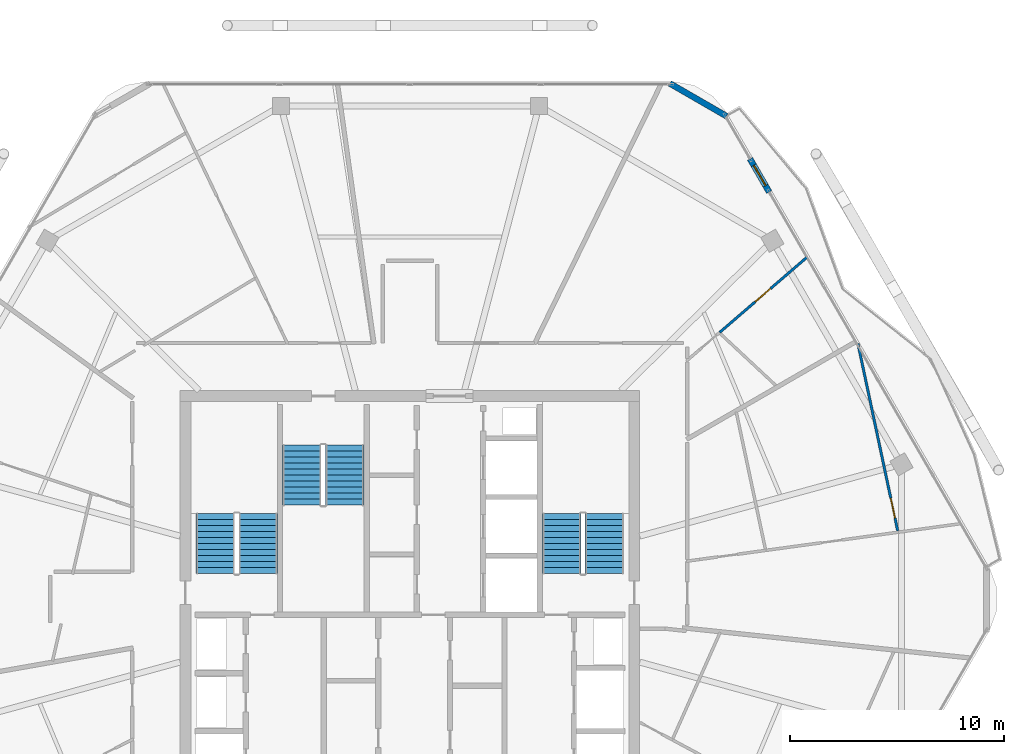
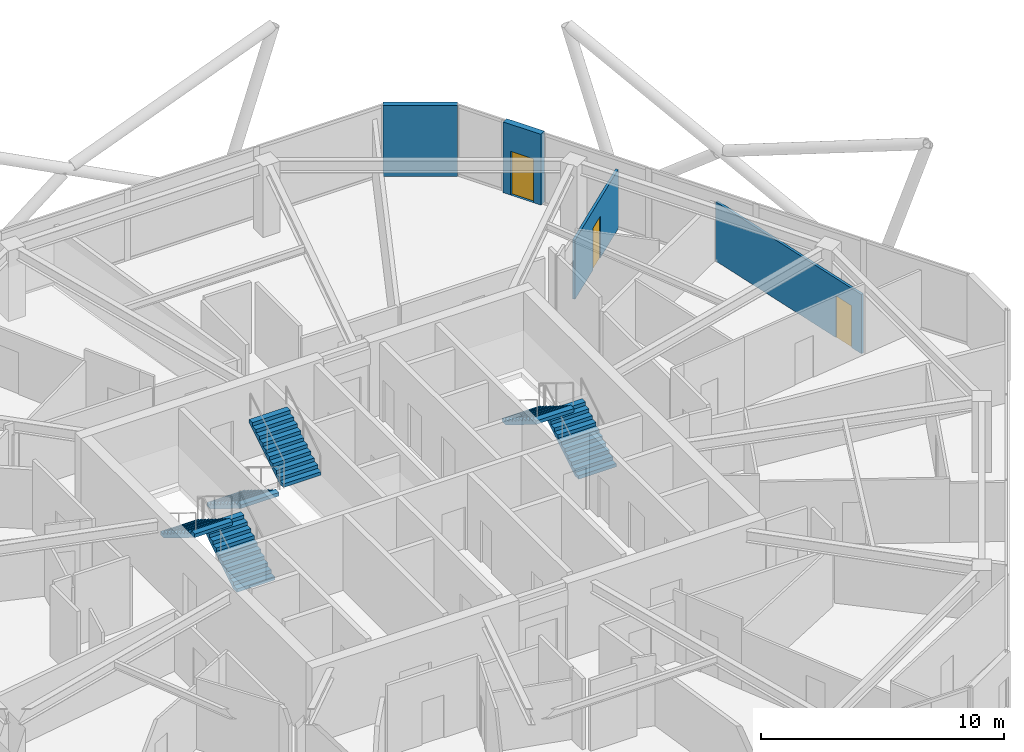
# One storey, part 21 of 24: 6 stair flights, 4 walls, 3 doors, 3 openings, 3 elements without a shape of their own.
"""IFC4 building model written with IfcOpenShell, lengths in metres."""

from ifc_helpers import new_model, si_unit, direction, frame, frame_2d, origin, place, context, subcontext, project, spatial, polyline, rectangle, outline, extrude, material, layer, layer_set, type_object, element, fill, aggregate, save


model = new_model("IFC4")

# Units and contexts
model_context = context("Model", 3, precision=1e-05, world=origin(), true_north=direction((0.0, 1.0)))
body_context = subcontext(model_context, "Body", "Model", "MODEL_VIEW")
ifc_project = project(units=[si_unit("LENGTHUNIT", "METRE"), si_unit("AREAUNIT", "SQUARE_METRE"), si_unit("VOLUMEUNIT", "CUBIC_METRE"), si_unit("PLANEANGLEUNIT", "RADIAN"), si_unit("MASSUNIT", "GRAM", prefix="KILO")], contexts=[model_context])

# Site, building, storey
site_placement = place(None, origin())
site = spatial("IfcSite", under=ifc_project, at=site_placement, CompositionType="ELEMENT")
building_placement = place(site_placement, origin())
building = spatial("IfcBuilding", under=site, at=building_placement, Name="Zuhravey Tower", CompositionType="ELEMENT")
storey_placement = place(building_placement, frame((0.0, 0.0, 308.199951171875)))
storey = spatial("IfcBuildingStorey", under=building, at=storey_placement, Name="L78", CompositionType="ELEMENT", Elevation=308.199951171875)

# Wall
ifc_material_1 = material(Name="Precast concrete C40/50", Category="concrete")
ifc_layer_1 = layer(ifc_material_1, 0.280029296875)
ifc_layer_set_1 = layer_set([ifc_layer_1], Name="Precast concrete C40/50")
wall_type_1 = type_object("IfcWallType", Name="Crown Architectural Wall 280", PredefinedType="SOLIDWALL", material=ifc_layer_set_1)
wall_1_placement = place(storey_placement, frame((48.156982421875, 56.12158203125, 0.0), z_axis=(0.0, 0.0, 1.0), x_axis=(0.866023752521, -0.50000286006, 0.0)))
element("IfcWall", 1, at=wall_1_placement, inside=storey, type_object=wall_type_1, Name="L78 Rounded Corner Closure Wall EW28-10", PredefinedType="SOLIDWALL", context=body_context, shape_type="SweptSolid", body=[
    extrude(rectangle(XDim=3.06494140625, YDim=0.280029296875, at=frame_2d((1.532470703125, 0.0))), origin(), (0.0, 0.0, 1.0), 3.550048828125),
])

# Wall, opening, door
wall_2_placement = place(storey_placement, frame((51.91015625, 52.591064453125, 0.0), z_axis=(0.0, 0.0, 1.0), x_axis=(0.499982180423, -0.866035691677, 0.0)))
wall_2 = element("IfcWall", 2, at=wall_2_placement, inside=storey, type_object=wall_type_1, Name="L78 Face 1 Facade Pier EW28-1", PredefinedType="SOLIDWALL", context=body_context, shape_type="SweptSolid", body=[
    extrude(rectangle(XDim=1.7900390625, YDim=0.280029296875, at=frame_2d((0.89501953125, 0.0))), origin(), (0.0, 0.0, 1.0), 3.550048828125),
])
opening_1_placement = place(wall_2_placement, frame((0.344970703125, 0.0, 0.0)))
opening_1 = element("IfcOpeningElement", 3, at=opening_1_placement, cuts=wall_2, Name="Opening BLD1", PredefinedType="OPENING", context=body_context, shape_type="SweptSolid", body=[
    extrude(rectangle(XDim=1.10009765625, YDim=2.199951171875, at=frame_2d((0.550048828125, 1.10009765625))), frame((0.0, 0.152099609375, 0.0), z_axis=(0.0, -1.0, 0.0), x_axis=(1.0, 0.0, 0.0)), (0.0, 0.0, 1.0), 0.303955078125),
])
ifc_material_2 = material(Name="Thermally broken aluminium and low-E glass", Category="aluminium")
door_type_1 = type_object("IfcDoorType", Name="Balcony & Sky-Tray Glazed Door 1100x2200", OperationType="NOTDEFINED", PredefinedType="DOOR", material=ifc_material_2)
door_1_placement = place(opening_1_placement, frame((1.10009765625, 0.0, 0.0), z_axis=(0.0, 0.0, 1.0), x_axis=(-1.0, 0.0, 0.0)))
door_1 = element("IfcDoor", 4, at=door_1_placement, inside=storey, type_object=door_type_1, Name="L78 Face 1 Wave Balcony Door", OperationType="SINGLE_SWING_RIGHT", OverallHeight=2.199951171875, OverallWidth=1.10009765625, PredefinedType="DOOR", context=body_context, shape_type="SweptSolid", body=[
    extrude(rectangle(XDim=1.10009765625, YDim=2.199951171875, at=frame_2d((0.550048828125, 1.10009765625))), frame((0.0, 0.02490234375, 0.0), z_axis=(0.0, -1.0, 0.0), x_axis=(1.0, 0.0, 0.0)), (0.0, 0.0, 1.0), 0.050048828125),
])
fill(opening_1, door_1)

ifc_material_3 = material(Name="Gypsum metal-stud partition")
ifc_layer_2 = layer(ifc_material_3, 0.1201171875)
ifc_layer_set_2 = layer_set([ifc_layer_2], Name="Gypsum metal-stud partition")
wall_type_2 = type_object("IfcWallType", Name="Unit Internal Partition 120", PredefinedType="PARTITIONING", material=ifc_layer_set_2)
wall_3_placement = place(storey_placement, frame((58.816650390625, 35.194091796875, 0.0), z_axis=(0.0, 0.0, 1.0), x_axis=(-0.20790706988, 0.978148582933, 0.0)))
wall_3 = element("IfcWall", 5, at=wall_3_placement, inside=storey, type_object=wall_type_2, Name="L78 IW12 Partition 046", PredefinedType="PARTITIONING", context=body_context, shape_type="SweptSolid", body=[
    extrude(rectangle(XDim=8.944580078125, YDim=0.1201171875, at=frame_2d((4.47216796875, 0.0))), origin(), (0.0, 0.0, 1.0), 2.969970703125),
])
opening_2_placement = place(wall_3_placement, frame((0.613037109375, 0.0, 0.0)))
opening_2 = element("IfcOpeningElement", 6, at=opening_2_placement, cuts=wall_3, Name="Opening IND1", PredefinedType="OPENING", context=body_context, shape_type="SweptSolid", body=[
    extrude(rectangle(XDim=0.949951171875, YDim=2.10009765625, at=frame_2d((0.47509765625, 1.050048828125))), frame((0.0, 0.072021484375, 0.0), z_axis=(0.0, -1.0, 0.0), x_axis=(1.0, 0.0, 0.0)), (0.0, 0.0, 1.0), 0.14404296875),
])
ifc_material_4 = material(Name="Painted engineered timber leaf", Category="wood")
door_type_2 = type_object("IfcDoorType", Name="Internal Room & Bedroom Door 950x2100", OperationType="NOTDEFINED", PredefinedType="DOOR", material=ifc_material_4)
door_2_placement = place(opening_2_placement, frame((0.949951171875, 0.0, 0.0), z_axis=(0.0, 0.0, 1.0), x_axis=(-1.0, 0.0, 0.0)))
door_2 = element("IfcDoor", 7, at=door_2_placement, inside=storey, type_object=door_type_2, Name="Apartment L78-07 Bedroom 1 Door", OperationType="SINGLE_SWING_LEFT", OverallHeight=2.10009765625, OverallWidth=0.949951171875, PredefinedType="DOOR", context=body_context, shape_type="SweptSolid", body=[
    extrude(rectangle(XDim=0.949951171875, YDim=2.10009765625, at=frame_2d((0.47509765625, 1.050048828125))), frame((0.0, 0.02490234375, 0.0), z_axis=(0.0, -1.0, 0.0), x_axis=(1.0, 0.0, 0.0)), (0.0, 0.0, 1.0), 0.050048828125),
])
fill(opening_2, door_2)

wall_4_placement = place(storey_placement, frame((50.490234375, 44.476806640625, 0.0), z_axis=(0.0, 0.0, 1.0), x_axis=(0.757798689284, 0.65248842635, 0.0)))
wall_4 = element("IfcWall", 8, at=wall_4_placement, inside=storey, type_object=wall_type_2, Name="L78 IW12 Partition 049", PredefinedType="PARTITIONING", context=body_context, shape_type="SweptSolid", body=[
    extrude(rectangle(XDim=5.385498046875, YDim=0.1201171875, at=frame_2d((2.69287109375, 0.0))), origin(), (0.0, 0.0, 1.0), 2.969970703125),
])
opening_3_placement = place(wall_4_placement, frame((2.192626953125, 0.0, 0.0)))
opening_3 = element("IfcOpeningElement", 9, at=opening_3_placement, cuts=wall_4, Name="Opening IND1", PredefinedType="OPENING", context=body_context, shape_type="SweptSolid", body=[
    extrude(rectangle(XDim=0.949951171875, YDim=2.10009765625, at=frame_2d((0.47509765625, 1.050048828125))), frame((0.0, 0.072021484375, 0.0), z_axis=(0.0, -1.0, 0.0), x_axis=(1.0, 0.0, 0.0)), (0.0, 0.0, 1.0), 0.14404296875),
])
door_3_placement = place(opening_3_placement, frame((0.949951171875, 0.0, 0.0), z_axis=(0.0, 0.0, 1.0), x_axis=(-1.0, 0.0, 0.0)))
door_3 = element("IfcDoor", 10, at=door_3_placement, inside=storey, type_object=door_type_2, Name="Apartment L78-08 Bedroom 1 Door", OperationType="SINGLE_SWING_RIGHT", OverallHeight=2.10009765625, OverallWidth=0.949951171875, PredefinedType="DOOR", context=body_context, shape_type="SweptSolid", body=[
    extrude(rectangle(XDim=0.949951171875, YDim=2.10009765625, at=frame_2d((0.47509765625, 1.050048828125))), frame((0.0, 0.02490234375, 0.0), z_axis=(0.0, -1.0, 0.0), x_axis=(1.0, 0.0, 0.0)), (0.0, 0.0, 1.0), 0.050048828125),
])
fill(opening_3, door_3)

# Stair, stair flights
ifc_material_5 = material(Name="Concrete C40/50", Category="concrete")
stair_type = type_object("IfcStairType", Name="Housing Storey Stair Assembly 3800", PredefinedType="HALF_TURN_STAIR", material=ifc_material_5)
stair_1_placement = place(storey_placement, origin())
stair_1 = element("IfcStair", 11, at=stair_1_placement, inside=storey, type_object=stair_type, Name="L78 Core Exit Stair ST1", PredefinedType="HALF_TURN_STAIR")
stair_flight_type = type_object("IfcStairFlightType", Name="Housing Storey Stair Flight 3800", PredefinedType="STRAIGHT", material=ifc_material_5)
stair_flight_1_placement = place(storey_placement, frame((28.89990234375, 33.199951171875, 0.0), z_axis=(0.0, 0.0, 1.0), x_axis=(0.0, 1.0, 0.0)))
stair_flight_1 = element("IfcStairFlight", 12, at=stair_flight_1_placement, type_object=stair_flight_type, Name="ST1 flight 1", NumberOfRisers=11, NumberOfTreads=10, PredefinedType="STRAIGHT", RiserHeight=0.172727273, TreadLength=0.28, context=body_context, shape_type="SweptSolid", body=[
    extrude(outline(polyline([(0.0, 0.0), (0.0, 0.172607421875), (0.280029296875, 0.172607421875), (0.280029296875, 0.345458984375), (0.56005859375, 0.345458984375), (0.56005859375, 0.51806640625), (0.840087890625, 0.51806640625), (0.840087890625, 0.69091796875), (1.1201171875, 0.69091796875), (1.1201171875, 0.863525390625), (1.39990234375, 0.863525390625), (1.39990234375, 1.036376953125), (1.679931640625, 1.036376953125), (1.679931640625, 1.208984375), (1.9599609375, 1.208984375), (1.9599609375, 1.3818359375), (2.239990234375, 1.3818359375), (2.239990234375, 1.554443359375), (2.52001953125, 1.554443359375), (2.52001953125, 1.727294921875), (2.800048828125, 1.727294921875), (2.800048828125, 1.89990234375), (2.800048828125, 1.551025390625), (0.285400390625, 0.0), (0.0, 0.0)])), frame((0.0, 0.89990234375, 0.0), z_axis=(0.0, -1.0, 0.0), x_axis=(1.0, 0.0, 0.0)), (0.0, 0.0, 1.0), 1.800048828125),
])
stair_flight_2_placement = place(storey_placement, frame((26.89990234375, 36.0, 1.900146484375), z_axis=(0.0, 0.0, 1.0), x_axis=(0.0, -1.0, 0.0)))
stair_flight_2 = element("IfcStairFlight", 13, at=stair_flight_2_placement, type_object=stair_flight_type, Name="ST1 flight 2", NumberOfRisers=11, NumberOfTreads=10, PredefinedType="STRAIGHT", RiserHeight=0.172727273, TreadLength=0.28, context=body_context, shape_type="SweptSolid", body=[
    extrude(outline(polyline([(0.0, 0.0), (0.0, 0.172607421875), (0.280029296875, 0.172607421875), (0.280029296875, 0.345458984375), (0.56005859375, 0.345458984375), (0.56005859375, 0.51806640625), (0.840087890625, 0.51806640625), (0.840087890625, 0.69091796875), (1.1201171875, 0.69091796875), (1.1201171875, 0.863525390625), (1.39990234375, 0.863525390625), (1.39990234375, 1.036376953125), (1.679931640625, 1.036376953125), (1.679931640625, 1.208984375), (1.9599609375, 1.208984375), (1.9599609375, 1.3818359375), (2.239990234375, 1.3818359375), (2.239990234375, 1.554443359375), (2.52001953125, 1.554443359375), (2.52001953125, 1.727294921875), (2.800048828125, 1.727294921875), (2.800048828125, 1.89990234375), (2.800048828125, 1.551025390625), (0.285400390625, 0.0), (0.0, 0.0)])), frame((0.0, 0.89990234375, 0.0), z_axis=(0.0, -1.0, 0.0), x_axis=(1.0, 0.0, 0.0)), (0.0, 0.0, 1.0), 1.800048828125),
])
aggregate(stair_1, [stair_flight_1, stair_flight_2])

stair_2_placement = place(storey_placement, origin())
stair_2 = element("IfcStair", 14, at=stair_2_placement, inside=storey, type_object=stair_type, Name="L78 Core Exit Stair ST2", PredefinedType="HALF_TURN_STAIR")
stair_flight_3_placement = place(storey_placement, frame((45.10009765625, 33.199951171875, 0.0), z_axis=(0.0, 0.0, 1.0), x_axis=(0.0, 1.0, 0.0)))
stair_flight_3 = element("IfcStairFlight", 15, at=stair_flight_3_placement, type_object=stair_flight_type, Name="ST2 flight 1", NumberOfRisers=11, NumberOfTreads=10, PredefinedType="STRAIGHT", RiserHeight=0.172727273, TreadLength=0.28, context=body_context, shape_type="SweptSolid", body=[
    extrude(outline(polyline([(0.0, 0.0), (0.0, 0.172607421875), (0.280029296875, 0.172607421875), (0.280029296875, 0.345458984375), (0.56005859375, 0.345458984375), (0.56005859375, 0.51806640625), (0.840087890625, 0.51806640625), (0.840087890625, 0.69091796875), (1.1201171875, 0.69091796875), (1.1201171875, 0.863525390625), (1.39990234375, 0.863525390625), (1.39990234375, 1.036376953125), (1.679931640625, 1.036376953125), (1.679931640625, 1.208984375), (1.9599609375, 1.208984375), (1.9599609375, 1.3818359375), (2.239990234375, 1.3818359375), (2.239990234375, 1.554443359375), (2.52001953125, 1.554443359375), (2.52001953125, 1.727294921875), (2.800048828125, 1.727294921875), (2.800048828125, 1.89990234375), (2.800048828125, 1.551025390625), (0.285400390625, 0.0), (0.0, 0.0)])), frame((0.0, 0.89990234375, 0.0), z_axis=(0.0, -1.0, 0.0), x_axis=(1.0, 0.0, 0.0)), (0.0, 0.0, 1.0), 1.800048828125),
])
stair_flight_4_placement = place(storey_placement, frame((43.10009765625, 36.0, 1.900146484375), z_axis=(0.0, 0.0, 1.0), x_axis=(0.0, -1.0, 0.0)))
stair_flight_4 = element("IfcStairFlight", 16, at=stair_flight_4_placement, type_object=stair_flight_type, Name="ST2 flight 2", NumberOfRisers=11, NumberOfTreads=10, PredefinedType="STRAIGHT", RiserHeight=0.172727273, TreadLength=0.28, context=body_context, shape_type="SweptSolid", body=[
    extrude(outline(polyline([(0.0, 0.0), (0.0, 0.172607421875), (0.280029296875, 0.172607421875), (0.280029296875, 0.345458984375), (0.56005859375, 0.345458984375), (0.56005859375, 0.51806640625), (0.840087890625, 0.51806640625), (0.840087890625, 0.69091796875), (1.1201171875, 0.69091796875), (1.1201171875, 0.863525390625), (1.39990234375, 0.863525390625), (1.39990234375, 1.036376953125), (1.679931640625, 1.036376953125), (1.679931640625, 1.208984375), (1.9599609375, 1.208984375), (1.9599609375, 1.3818359375), (2.239990234375, 1.3818359375), (2.239990234375, 1.554443359375), (2.52001953125, 1.554443359375), (2.52001953125, 1.727294921875), (2.800048828125, 1.727294921875), (2.800048828125, 1.89990234375), (2.800048828125, 1.551025390625), (0.285400390625, 0.0), (0.0, 0.0)])), frame((0.0, 0.89990234375, 0.0), z_axis=(0.0, -1.0, 0.0), x_axis=(1.0, 0.0, 0.0)), (0.0, 0.0, 1.0), 1.800048828125),
])
aggregate(stair_2, [stair_flight_3, stair_flight_4])

stair_3_placement = place(storey_placement, origin())
stair_3 = element("IfcStair", 17, at=stair_3_placement, inside=storey, type_object=stair_type, Name="L78 Core Exit Stair ST3", PredefinedType="HALF_TURN_STAIR")
stair_flight_5_placement = place(storey_placement, frame((30.949951171875, 39.199951171875, 0.0), z_axis=(0.0, 0.0, 1.0), x_axis=(0.0, -1.0, 0.0)))
stair_flight_5 = element("IfcStairFlight", 18, at=stair_flight_5_placement, type_object=stair_flight_type, Name="ST3 flight 1", NumberOfRisers=11, NumberOfTreads=10, PredefinedType="STRAIGHT", RiserHeight=0.172727273, TreadLength=0.28, context=body_context, shape_type="SweptSolid", body=[
    extrude(outline(polyline([(0.0, 0.0), (0.0, 0.172607421875), (0.280029296875, 0.172607421875), (0.280029296875, 0.345458984375), (0.56005859375, 0.345458984375), (0.56005859375, 0.51806640625), (0.840087890625, 0.51806640625), (0.840087890625, 0.69091796875), (1.1201171875, 0.69091796875), (1.1201171875, 0.863525390625), (1.39990234375, 0.863525390625), (1.39990234375, 1.036376953125), (1.679931640625, 1.036376953125), (1.679931640625, 1.208984375), (1.9599609375, 1.208984375), (1.9599609375, 1.3818359375), (2.239990234375, 1.3818359375), (2.239990234375, 1.554443359375), (2.52001953125, 1.554443359375), (2.52001953125, 1.727294921875), (2.800048828125, 1.727294921875), (2.800048828125, 1.89990234375), (2.800048828125, 1.551025390625), (0.285400390625, 0.0), (0.0, 0.0)])), frame((0.0, 0.89990234375, 0.0), z_axis=(0.0, -1.0, 0.0), x_axis=(1.0, 0.0, 0.0)), (0.0, 0.0, 1.0), 1.800048828125),
])
stair_flight_6_placement = place(storey_placement, frame((32.949951171875, 36.39990234375, 1.900146484375), z_axis=(0.0, 0.0, 1.0), x_axis=(0.0, 1.0, 0.0)))
stair_flight_6 = element("IfcStairFlight", 19, at=stair_flight_6_placement, type_object=stair_flight_type, Name="ST3 flight 2", NumberOfRisers=11, NumberOfTreads=10, PredefinedType="STRAIGHT", RiserHeight=0.172727273, TreadLength=0.28, context=body_context, shape_type="SweptSolid", body=[
    extrude(outline(polyline([(0.0, 0.0), (0.0, 0.172607421875), (0.280029296875, 0.172607421875), (0.280029296875, 0.345458984375), (0.56005859375, 0.345458984375), (0.56005859375, 0.51806640625), (0.840087890625, 0.51806640625), (0.840087890625, 0.69091796875), (1.1201171875, 0.69091796875), (1.1201171875, 0.863525390625), (1.39990234375, 0.863525390625), (1.39990234375, 1.036376953125), (1.679931640625, 1.036376953125), (1.679931640625, 1.208984375), (1.9599609375, 1.208984375), (1.9599609375, 1.3818359375), (2.239990234375, 1.3818359375), (2.239990234375, 1.554443359375), (2.52001953125, 1.554443359375), (2.52001953125, 1.727294921875), (2.800048828125, 1.727294921875), (2.800048828125, 1.89990234375), (2.800048828125, 1.551025390625), (0.285400390625, 0.0), (0.0, 0.0)])), frame((0.0, 0.89990234375, 0.0), z_axis=(0.0, -1.0, 0.0), x_axis=(1.0, 0.0, 0.0)), (0.0, 0.0, 1.0), 1.800048828125),
])
aggregate(stair_3, [stair_flight_5, stair_flight_6])

save(model, "model.ifc")
